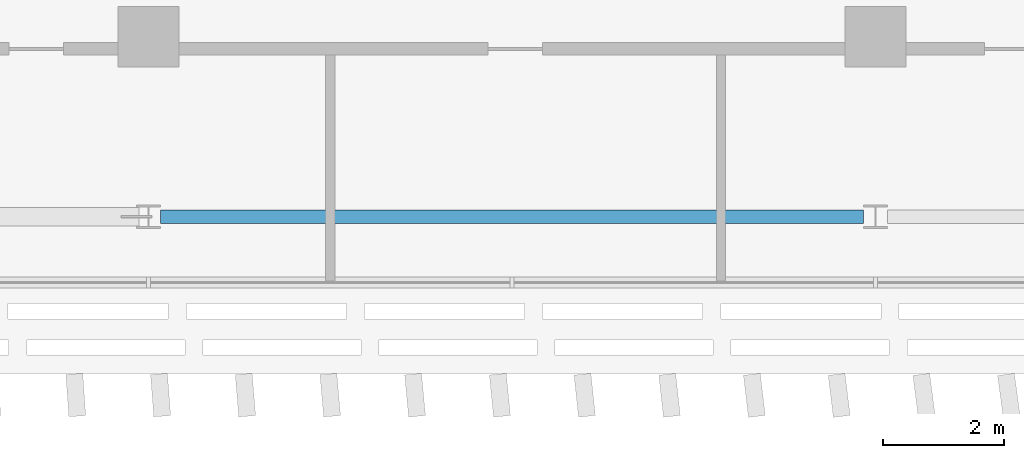
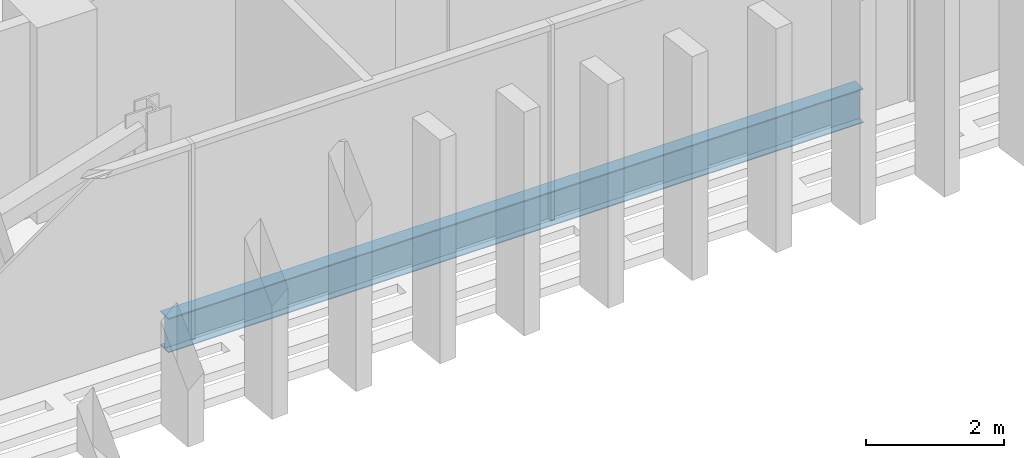
# One storey, part 6 of 32: 1 beam.
"""IFC4 building model written with IfcOpenShell, lengths in metres."""

from ifc_helpers import new_model, si_unit, direction, frame, origin, origin_2d, place, context, subcontext, project, spatial, i_section, extrude, material, material_profile, profile_set, type_object, element, save


model = new_model("IFC4")

# Units and contexts
model_context = context("Model", 3, precision=1e-05, world=origin(), true_north=direction((0.0, 1.0)))
body_context = subcontext(model_context, "Body", "Model", "MODEL_VIEW")
ifc_project = project(units=[si_unit("LENGTHUNIT", "METRE"), si_unit("AREAUNIT", "SQUARE_METRE"), si_unit("VOLUMEUNIT", "CUBIC_METRE"), si_unit("PLANEANGLEUNIT", "RADIAN"), si_unit("MASSUNIT", "GRAM", prefix="KILO")], contexts=[model_context])

# Site, building, storey
site_placement = place(None, origin())
site = spatial("IfcSite", under=ifc_project, at=site_placement, CompositionType="ELEMENT")
building_placement = place(site_placement, origin())
building = spatial("IfcBuilding", under=site, at=building_placement, Name="Mahtab Terrace Research Tower", CompositionType="ELEMENT")
storey_placement = place(building_placement, frame((0.0, 0.0, 243.800048828125)))
storey = spatial("IfcBuildingStorey", under=building, at=storey_placement, Name="L59", CompositionType="ELEMENT", Elevation=243.800048828125)

# Beam
ifc_material = material(Name="Steel ASTM A992 Gr 50", Category="steel")
ifc_material_profile = material_profile(ifc_material, i_section(OverallWidth=0.228271484375, OverallDepth=0.607177734375, WebThickness=0.01123046875, FlangeThickness=0.017333984375, at=origin_2d()), Name="W24X76")
ifc_profile_set = profile_set([ifc_material_profile], Name="Steel ASTM A992 Gr 50")
beam_type = type_object("IfcBeamType", Name="W24x76 beam BS2476", PredefinedType="BEAM", material=ifc_profile_set)
beam_placement = place(storey_placement, frame((-17.800537109375, -14.472900390625, -0.6435546875), z_axis=(1.0, 0.0, 0.0), x_axis=(0.0, 1.0, 0.0)))
element("IfcBeam", 1, at=beam_placement, inside=storey, type_object=beam_type, Name="Spandrel beam L59 14", PredefinedType="BEAM", context=body_context, shape_type="SweptSolid", body=[
    extrude(i_section(OverallWidth=0.228271484375, OverallDepth=0.607177734375, WebThickness=0.01123046875, FlangeThickness=0.017333984375, at=origin_2d()), origin(), (0.0, 0.0, 1.0), 11.60107421875),
])

save(model, "model.ifc")
